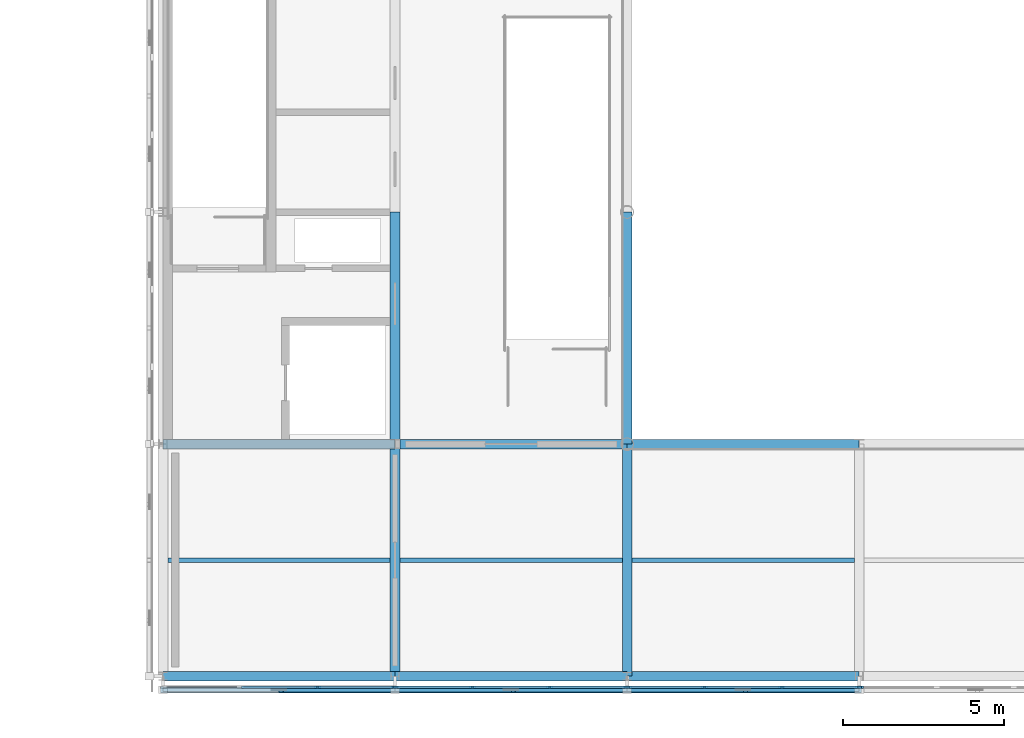
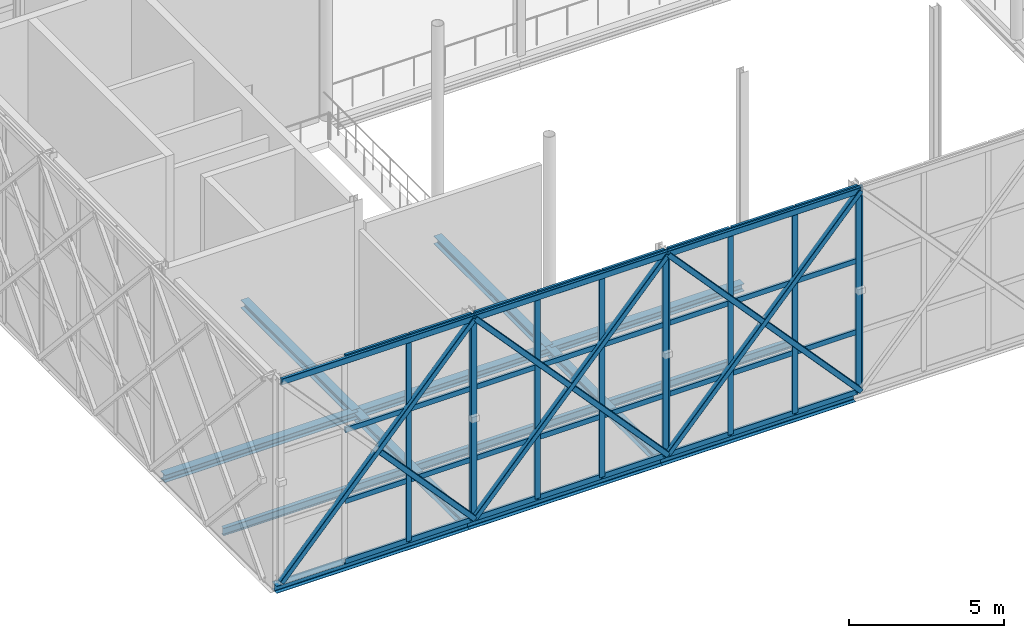
# One storey, part 14 of 76: 54 members, 13 beams, 4 elements without a shape of their own.
"""IFC4 building model written with IfcOpenShell, lengths in metres."""

from ifc_helpers import new_model, si_unit, direction, frame, origin, origin_2d, place, context, subcontext, project, spatial, rectangle, hollow_rectangle, i_section, extrude, material, material_profile, profile_set, type_object, element, aggregate, save


model = new_model("IFC4")

# Units and contexts
model_context = context("Model", 3, precision=1e-05, world=origin(), true_north=direction((0.0, 1.0)))
body_context = subcontext(model_context, "Body", "Model", "MODEL_VIEW")
ifc_project = project(units=[si_unit("LENGTHUNIT", "METRE"), si_unit("AREAUNIT", "SQUARE_METRE"), si_unit("VOLUMEUNIT", "CUBIC_METRE"), si_unit("PLANEANGLEUNIT", "RADIAN"), si_unit("MASSUNIT", "GRAM", prefix="KILO")], contexts=[model_context])

# Site, building, storey
site_placement = place(None, origin())
site = spatial("IfcSite", under=ifc_project, at=site_placement, CompositionType="ELEMENT")
building_placement = place(site_placement, origin())
building = spatial("IfcBuilding", under=site, at=building_placement, Name="Zlatovets Crest Museum", CompositionType="ELEMENT")
storey_placement = place(building_placement, frame((0.0, 0.0, 17.10009765625)))
storey = spatial("IfcBuildingStorey", under=building, at=storey_placement, Name="L04", CompositionType="ELEMENT", Elevation=17.10009765625)

# Beams
ifc_material_1 = material(Name="Structural steel S355J2", Category="steel")
ifc_material_profile_1 = material_profile(ifc_material_1, i_section(OverallWidth=0.300048828125, OverallDepth=0.31005859375, WebThickness=0.009033203125, FlangeThickness=0.015380859375, FilletRadius=0.027099609375, at=origin_2d()), Name="HEA 320")
ifc_profile_set_1 = profile_set([ifc_material_profile_1], Name="Structural steel S355J2")
beam_type_1 = type_object("IfcBeamType", Name="Beam_B-04", PredefinedType="BEAM", material=ifc_profile_set_1)
for number, where, z_axis, x_axis, name in (
    (1, (64.800048828125, 0.0, -0.39501953125), (0.0, 1.0, 0.0), (-1.0, 0.0, 0.0), "V2 L04 Grid Beam B-04"),
    (2, (64.800048828125, 7.199951171875, -0.39501953125), (0.0, 1.0, 0.0), (-1.0, 0.0, 0.0), "V2 L04 Grid Beam B-04"),
    (3, (72.0, 0.0, -0.39501953125), (0.0, 1.0, 0.0), (-1.0, 0.0, 0.0), "V2 L04 Grid Beam B-04"),
    (4, (72.0, 7.199951171875, -0.39501953125), (0.0, 1.0, 0.0), (-1.0, 0.0, 0.0), "V2 L04 Grid Beam B-04"),
):
    element("IfcBeam", number, at=place(storey_placement, frame(where, z_axis=z_axis, x_axis=x_axis)), inside=storey, type_object=beam_type_1, Name=name, PredefinedType="BEAM", context=body_context, shape_type="SweptSolid", body=[
        extrude(i_section(OverallWidth=0.300048828125, OverallDepth=0.31005859375, WebThickness=0.009033203125, FlangeThickness=0.015380859375, FilletRadius=0.027099609375, at=origin_2d()), origin(), (0.0, 0.0, 1.0), 7.199951171875),
    ])
ifc_material_profile_2 = material_profile(ifc_material_1, i_section(OverallWidth=0.300048828125, OverallDepth=0.2900390625, WebThickness=0.008544921875, FlangeThickness=0.013916015625, FilletRadius=0.027099609375, at=origin_2d()), Name="HEA 300")
ifc_profile_set_2 = profile_set([ifc_material_profile_2], Name="Structural steel S355J2")
beam_type_2 = type_object("IfcBeamType", Name="Beam_B-12", PredefinedType="BEAM", material=ifc_profile_set_2)
for number, where, z_axis, x_axis, name in (
    (5, (57.60009765625, 0.0, -0.385009765625), (1.0, 0.0, 0.0), (0.0, 1.0, 0.0), "V2 L04 Primary Girder B-12"),
    (6, (64.800048828125, 0.0, -0.385009765625), (1.0, 0.0, 0.0), (0.0, 1.0, 0.0), "V2 L04 Primary Girder B-12"),
    (7, (72.0, 0.0, -0.385009765625), (1.0, 0.0, 0.0), (0.0, 1.0, 0.0), "V2 L04 Primary Girder B-12"),
    (8, (57.60009765625, 7.199951171875, -0.385009765625), (1.0, 0.0, 0.0), (0.0, 1.0, 0.0), "V2 L04 Primary Girder B-12"),
    (9, (64.800048828125, 7.199951171875, -0.385009765625), (1.0, 0.0, 0.0), (0.0, 1.0, 0.0), "V2 L04 Primary Girder B-12"),
    (10, (72.0, 7.199951171875, -0.385009765625), (1.0, 0.0, 0.0), (0.0, 1.0, 0.0), "V2 L04 Primary Girder B-12"),
):
    element("IfcBeam", number, at=place(storey_placement, frame(where, z_axis=z_axis, x_axis=x_axis)), inside=storey, type_object=beam_type_2, Name=name, PredefinedType="BEAM", context=body_context, shape_type="SweptSolid", body=[
        extrude(i_section(OverallWidth=0.300048828125, OverallDepth=0.2900390625, WebThickness=0.008544921875, FlangeThickness=0.013916015625, FilletRadius=0.027099609375, at=origin_2d()), origin(), (0.0, 0.0, 1.0), 7.199951171875),
    ])
ifc_material_profile_3 = material_profile(ifc_material_1, i_section(OverallWidth=0.14990234375, OverallDepth=0.300048828125, WebThickness=0.007080078125, FlangeThickness=0.0107421875, FilletRadius=0.014892578125, at=origin_2d()), Name="IPE 300")
ifc_profile_set_3 = profile_set([ifc_material_profile_3], Name="Structural steel S355J2")
beam_type_3 = type_object("IfcBeamType", Name="Beam_J-02", PredefinedType="JOIST", material=ifc_profile_set_3)
beam_placement = place(storey_placement, frame((57.75, 3.60009765625, -0.39013671875), z_axis=(1.0, 0.0, 0.0), x_axis=(0.0, 1.0, 0.0)))
element("IfcBeam", 11, at=beam_placement, inside=storey, type_object=beam_type_3, Name="V2 L04 Composite Joist J-02", PredefinedType="JOIST", context=body_context, shape_type="SweptSolid", body=[
    extrude(i_section(OverallWidth=0.14990234375, OverallDepth=0.300048828125, WebThickness=0.007080078125, FlangeThickness=0.0107421875, FilletRadius=0.014892578125, at=origin_2d()), origin(), (0.0, 0.0, 1.0), 6.89990234375),
])
for number, where, z_axis, x_axis, name in (
    (12, (64.949951171875, 3.60009765625, -0.39013671875), (1.0, 0.0, 0.0), (0.0, 1.0, 0.0), "V2 L04 Composite Joist J-02"),
    (13, (72.14990234375, 3.60009765625, -0.39013671875), (1.0, 0.0, 0.0), (0.0, 1.0, 0.0), "V2 L04 Composite Joist J-02"),
):
    element("IfcBeam", number, at=place(storey_placement, frame(where, z_axis=z_axis, x_axis=x_axis)), inside=storey, type_object=beam_type_3, Name=name, PredefinedType="JOIST", context=body_context, shape_type="SweptSolid", body=[
        extrude(i_section(OverallWidth=0.14990234375, OverallDepth=0.300048828125, WebThickness=0.007080078125, FlangeThickness=0.0107421875, FilletRadius=0.014892578125, at=origin_2d()), origin(), (0.0, 0.0, 1.0), 6.900146484375),
    ])

# Curtain wall, members
ifc_material_2 = material(Name="Bronze-anodised aluminium and low-E triple glass", Category="aluminium")
curtain_wall_type_1 = type_object("IfcCurtainWallType", Name="CW_CW-V2-L04-M0", PredefinedType="NOTDEFINED", material=ifc_material_2)
curtain_wall_1_placement = place(storey_placement, origin())
curtain_wall_1 = element("IfcCurtainWall", 14, at=curtain_wall_1_placement, inside=storey, type_object=curtain_wall_type_1, Name="V2 L04 Secession Foyer Clear Curtain Wall", PredefinedType="NOTDEFINED")
ifc_material_3 = material(Name="Bronze-anodised aluminium EN AW-6060", Category="aluminium")
ifc_material_profile_4 = material_profile(ifc_material_3, rectangle(XDim=0.090087890625, YDim=0.199951171875, at=origin_2d()), Name="ALU 90x200")
ifc_profile_set_4 = profile_set([ifc_material_profile_4], Name="Bronze-anodised aluminium EN AW-6060")
member_type_1 = type_object("IfcMemberType", Name="CWMull_M2", PredefinedType="MULLION", material=ifc_profile_set_4)
member_1_placement = place(storey_placement, frame((62.39990234375, -0.340087890625, 0.0), z_axis=(0.0, 0.0, 1.0), x_axis=(0.0, 1.0, 0.0)))
member_1 = element("IfcMember", 15, at=member_1_placement, type_object=member_type_1, Name="CW-V2-L04-M0 mullion 3", PredefinedType="MULLION", context=body_context, shape_type="SweptSolid", body=[
    extrude(rectangle(XDim=0.090087890625, YDim=0.199951171875, at=origin_2d()), origin(), (0.0, 0.0, 1.0), 8.099853515625),
])
member_2_placement = place(storey_placement, frame((64.77001953125, -0.340087890625, 0.0), z_axis=(0.0, 0.0, 1.0), x_axis=(0.0, 1.0, 0.0)))
member_2 = element("IfcMember", 16, at=member_2_placement, type_object=member_type_1, Name="CW-V2-L04-M0 mullion 4", PredefinedType="MULLION", context=body_context, shape_type="SweptSolid", body=[
    extrude(rectangle(XDim=0.090087890625, YDim=0.199951171875, at=origin_2d()), origin(), (0.0, 0.0, 1.0), 8.099853515625),
])

curtain_wall_type_2 = type_object("IfcCurtainWallType", Name="CW_CW-V2-L04-M1", PredefinedType="NOTDEFINED", material=ifc_material_2)
curtain_wall_2_placement = place(storey_placement, origin())
curtain_wall_2 = element("IfcCurtainWall", 17, at=curtain_wall_2_placement, inside=storey, type_object=curtain_wall_type_2, Name="V2 L04 Secession Foyer Clear Curtain Wall", PredefinedType="NOTDEFINED")
member_3_placement = place(storey_placement, frame((64.830078125, -0.340087890625, 0.0), z_axis=(0.0, 0.0, 1.0), x_axis=(0.0, 1.0, 0.0)))
member_3 = element("IfcMember", 18, at=member_3_placement, type_object=member_type_1, Name="CW-V2-L04-M1 mullion 1", PredefinedType="MULLION", context=body_context, shape_type="SweptSolid", body=[
    extrude(rectangle(XDim=0.090087890625, YDim=0.199951171875, at=origin_2d()), origin(), (0.0, 0.0, 1.0), 8.099853515625),
])
member_4_placement = place(storey_placement, frame((67.199951171875, -0.340087890625, 0.0), z_axis=(0.0, 0.0, 1.0), x_axis=(0.0, 1.0, 0.0)))
member_4 = element("IfcMember", 19, at=member_4_placement, type_object=member_type_1, Name="CW-V2-L04-M1 mullion 2", PredefinedType="MULLION", context=body_context, shape_type="SweptSolid", body=[
    extrude(rectangle(XDim=0.090087890625, YDim=0.199951171875, at=origin_2d()), origin(), (0.0, 0.0, 1.0), 8.099853515625),
])
member_5_placement = place(storey_placement, frame((69.60009765625, -0.340087890625, 0.0), z_axis=(0.0, 0.0, 1.0), x_axis=(0.0, 1.0, 0.0)))
member_5 = element("IfcMember", 20, at=member_5_placement, type_object=member_type_1, Name="CW-V2-L04-M1 mullion 3", PredefinedType="MULLION", context=body_context, shape_type="SweptSolid", body=[
    extrude(rectangle(XDim=0.090087890625, YDim=0.199951171875, at=origin_2d()), origin(), (0.0, 0.0, 1.0), 8.099853515625),
])
member_6_placement = place(storey_placement, frame((71.969970703125, -0.340087890625, 0.0), z_axis=(0.0, 0.0, 1.0), x_axis=(0.0, 1.0, 0.0)))
member_6 = element("IfcMember", 21, at=member_6_placement, type_object=member_type_1, Name="CW-V2-L04-M1 mullion 4", PredefinedType="MULLION", context=body_context, shape_type="SweptSolid", body=[
    extrude(rectangle(XDim=0.090087890625, YDim=0.199951171875, at=origin_2d()), origin(), (0.0, 0.0, 1.0), 8.099853515625),
])

curtain_wall_type_3 = type_object("IfcCurtainWallType", Name="CW_CW-V2-L04-M2", PredefinedType="NOTDEFINED", material=ifc_material_2)
curtain_wall_3_placement = place(storey_placement, origin())
curtain_wall_3 = element("IfcCurtainWall", 22, at=curtain_wall_3_placement, inside=storey, type_object=curtain_wall_type_3, Name="V2 L04 Secession Foyer Clear Curtain Wall", PredefinedType="NOTDEFINED")
member_7_placement = place(storey_placement, frame((72.030029296875, -0.340087890625, 0.0), z_axis=(0.0, 0.0, 1.0), x_axis=(0.0, 1.0, 0.0)))
member_7 = element("IfcMember", 23, at=member_7_placement, type_object=member_type_1, Name="CW-V2-L04-M2 mullion 1", PredefinedType="MULLION", context=body_context, shape_type="SweptSolid", body=[
    extrude(rectangle(XDim=0.090087890625, YDim=0.199951171875, at=origin_2d()), origin(), (0.0, 0.0, 1.0), 8.099853515625),
])
member_8_placement = place(storey_placement, frame((74.39990234375, -0.340087890625, 0.0), z_axis=(0.0, 0.0, 1.0), x_axis=(0.0, 1.0, 0.0)))
member_8 = element("IfcMember", 24, at=member_8_placement, type_object=member_type_1, Name="CW-V2-L04-M2 mullion 2", PredefinedType="MULLION", context=body_context, shape_type="SweptSolid", body=[
    extrude(rectangle(XDim=0.090087890625, YDim=0.199951171875, at=origin_2d()), origin(), (0.0, 0.0, 1.0), 8.099853515625),
])
member_9_placement = place(storey_placement, frame((76.800048828125, -0.340087890625, 0.0), z_axis=(0.0, 0.0, 1.0), x_axis=(0.0, 1.0, 0.0)))
member_9 = element("IfcMember", 25, at=member_9_placement, type_object=member_type_1, Name="CW-V2-L04-M2 mullion 3", PredefinedType="MULLION", context=body_context, shape_type="SweptSolid", body=[
    extrude(rectangle(XDim=0.090087890625, YDim=0.199951171875, at=origin_2d()), origin(), (0.0, 0.0, 1.0), 8.099853515625),
])
member_10_placement = place(storey_placement, frame((79.169921875, -0.340087890625, 0.0), z_axis=(0.0, 0.0, 1.0), x_axis=(0.0, 1.0, 0.0)))
member_10 = element("IfcMember", 26, at=member_10_placement, type_object=member_type_1, Name="CW-V2-L04-M2 mullion 4", PredefinedType="MULLION", context=body_context, shape_type="SweptSolid", body=[
    extrude(rectangle(XDim=0.090087890625, YDim=0.199951171875, at=origin_2d()), origin(), (0.0, 0.0, 1.0), 8.099853515625),
])

# Curtain wall, member
curtain_wall_type_4 = type_object("IfcCurtainWallType", Name="CW_CW-V2-L04-M3", PredefinedType="NOTDEFINED", material=ifc_material_2)
curtain_wall_4_placement = place(storey_placement, origin())
curtain_wall_4 = element("IfcCurtainWall", 27, at=curtain_wall_4_placement, inside=storey, type_object=curtain_wall_type_4, Name="V2 L04 Secession Foyer Clear Curtain Wall", PredefinedType="NOTDEFINED")
member_11_placement = place(storey_placement, frame((79.22998046875, -0.340087890625, 0.0), z_axis=(0.0, 0.0, 1.0), x_axis=(0.0, 1.0, 0.0)))
member_11 = element("IfcMember", 28, at=member_11_placement, type_object=member_type_1, Name="CW-V2-L04-M3 mullion 1", PredefinedType="MULLION", context=body_context, shape_type="SweptSolid", body=[
    extrude(rectangle(XDim=0.090087890625, YDim=0.199951171875, at=origin_2d()), origin(), (0.0, 0.0, 1.0), 8.099853515625),
])
aggregate(curtain_wall_4, [member_11])

# Member
ifc_material_profile_5 = material_profile(ifc_material_3, rectangle(XDim=0.090087890625, YDim=0.199951171875, at=origin_2d()), Name="ALU 90x200")
ifc_profile_set_5 = profile_set([ifc_material_profile_5], Name="Bronze-anodised aluminium EN AW-6060")
member_type_2 = type_object("IfcMemberType", Name="CWTrans_T2", PredefinedType="USERDEFINED", material=ifc_profile_set_5)
member_12_placement = place(storey_placement, frame((60.030029296875, -0.340087890625, 0.02978515625), z_axis=(1.0, 0.0, 0.0), x_axis=(0.0, 1.0, 0.0)))
member_12 = element("IfcMember", 29, at=member_12_placement, type_object=member_type_2, Name="CW-V2-L04-M0 transom 2.1", ObjectType="TRANSOM", PredefinedType="USERDEFINED", context=body_context, shape_type="SweptSolid", body=[
    extrude(rectangle(XDim=0.090087890625, YDim=0.199951171875, at=origin_2d()), origin(), (0.0, 0.0, 1.0), 2.340087890625),
])

member_13_placement = place(storey_placement, frame((60.030029296875, -0.340087890625, 2.39990234375), z_axis=(1.0, 0.0, 0.0), x_axis=(0.0, 1.0, 0.0)))
member_13 = element("IfcMember", 30, at=member_13_placement, type_object=member_type_2, Name="CW-V2-L04-M0 transom 2.2", ObjectType="TRANSOM", PredefinedType="USERDEFINED", context=body_context, shape_type="SweptSolid", body=[
    extrude(rectangle(XDim=0.090087890625, YDim=0.199951171875, at=origin_2d()), origin(), (0.0, 0.0, 1.0), 2.340087890625),
])

member_14_placement = place(storey_placement, frame((60.030029296875, -0.340087890625, 5.199951171875), z_axis=(1.0, 0.0, 0.0), x_axis=(0.0, 1.0, 0.0)))
member_14 = element("IfcMember", 31, at=member_14_placement, type_object=member_type_2, Name="CW-V2-L04-M0 transom 2.3", ObjectType="TRANSOM", PredefinedType="USERDEFINED", context=body_context, shape_type="SweptSolid", body=[
    extrude(rectangle(XDim=0.090087890625, YDim=0.199951171875, at=origin_2d()), origin(), (0.0, 0.0, 1.0), 2.340087890625),
])

member_15_placement = place(storey_placement, frame((60.030029296875, -0.340087890625, 8.06982421875), z_axis=(1.0, 0.0, 0.0), x_axis=(0.0, 1.0, 0.0)))
member_15 = element("IfcMember", 32, at=member_15_placement, type_object=member_type_2, Name="CW-V2-L04-M0 transom 2.4", ObjectType="TRANSOM", PredefinedType="USERDEFINED", context=body_context, shape_type="SweptSolid", body=[
    extrude(rectangle(XDim=0.090087890625, YDim=0.199951171875, at=origin_2d()), origin(), (0.0, 0.0, 1.0), 2.340087890625),
])

member_16_placement = place(storey_placement, frame((62.429931640625, -0.340087890625, 0.02978515625), z_axis=(1.0, 0.0, 0.0), x_axis=(0.0, 1.0, 0.0)))
member_16 = element("IfcMember", 33, at=member_16_placement, type_object=member_type_2, Name="CW-V2-L04-M0 transom 3.1", ObjectType="TRANSOM", PredefinedType="USERDEFINED", context=body_context, shape_type="SweptSolid", body=[
    extrude(rectangle(XDim=0.090087890625, YDim=0.199951171875, at=origin_2d()), origin(), (0.0, 0.0, 1.0), 2.31005859375),
])

member_17_placement = place(storey_placement, frame((62.429931640625, -0.340087890625, 2.39990234375), z_axis=(1.0, 0.0, 0.0), x_axis=(0.0, 1.0, 0.0)))
member_17 = element("IfcMember", 34, at=member_17_placement, type_object=member_type_2, Name="CW-V2-L04-M0 transom 3.2", ObjectType="TRANSOM", PredefinedType="USERDEFINED", context=body_context, shape_type="SweptSolid", body=[
    extrude(rectangle(XDim=0.090087890625, YDim=0.199951171875, at=origin_2d()), origin(), (0.0, 0.0, 1.0), 2.31005859375),
])

member_18_placement = place(storey_placement, frame((62.429931640625, -0.340087890625, 5.199951171875), z_axis=(1.0, 0.0, 0.0), x_axis=(0.0, 1.0, 0.0)))
member_18 = element("IfcMember", 35, at=member_18_placement, type_object=member_type_2, Name="CW-V2-L04-M0 transom 3.3", ObjectType="TRANSOM", PredefinedType="USERDEFINED", context=body_context, shape_type="SweptSolid", body=[
    extrude(rectangle(XDim=0.090087890625, YDim=0.199951171875, at=origin_2d()), origin(), (0.0, 0.0, 1.0), 2.31005859375),
])

member_19_placement = place(storey_placement, frame((62.429931640625, -0.340087890625, 8.06982421875), z_axis=(1.0, 0.0, 0.0), x_axis=(0.0, 1.0, 0.0)))
member_19 = element("IfcMember", 36, at=member_19_placement, type_object=member_type_2, Name="CW-V2-L04-M0 transom 3.4", ObjectType="TRANSOM", PredefinedType="USERDEFINED", context=body_context, shape_type="SweptSolid", body=[
    extrude(rectangle(XDim=0.090087890625, YDim=0.199951171875, at=origin_2d()), origin(), (0.0, 0.0, 1.0), 2.31005859375),
])

aggregate(curtain_wall_1, [member_1, member_2, member_12, member_13, member_14, member_15, member_16, member_17, member_18, member_19])

member_20_placement = place(storey_placement, frame((64.860107421875, -0.340087890625, 0.02978515625), z_axis=(1.0, 0.0, 0.0), x_axis=(0.0, 1.0, 0.0)))
member_20 = element("IfcMember", 37, at=member_20_placement, type_object=member_type_2, Name="CW-V2-L04-M1 transom 1.1", ObjectType="TRANSOM", PredefinedType="USERDEFINED", context=body_context, shape_type="SweptSolid", body=[
    extrude(rectangle(XDim=0.090087890625, YDim=0.199951171875, at=origin_2d()), origin(), (0.0, 0.0, 1.0), 2.309814453125),
])

member_21_placement = place(storey_placement, frame((64.860107421875, -0.340087890625, 2.39990234375), z_axis=(1.0, 0.0, 0.0), x_axis=(0.0, 1.0, 0.0)))
member_21 = element("IfcMember", 38, at=member_21_placement, type_object=member_type_2, Name="CW-V2-L04-M1 transom 1.2", ObjectType="TRANSOM", PredefinedType="USERDEFINED", context=body_context, shape_type="SweptSolid", body=[
    extrude(rectangle(XDim=0.090087890625, YDim=0.199951171875, at=origin_2d()), origin(), (0.0, 0.0, 1.0), 2.309814453125),
])

member_22_placement = place(storey_placement, frame((64.860107421875, -0.340087890625, 5.199951171875), z_axis=(1.0, 0.0, 0.0), x_axis=(0.0, 1.0, 0.0)))
member_22 = element("IfcMember", 39, at=member_22_placement, type_object=member_type_2, Name="CW-V2-L04-M1 transom 1.3", ObjectType="TRANSOM", PredefinedType="USERDEFINED", context=body_context, shape_type="SweptSolid", body=[
    extrude(rectangle(XDim=0.090087890625, YDim=0.199951171875, at=origin_2d()), origin(), (0.0, 0.0, 1.0), 2.309814453125),
])

member_23_placement = place(storey_placement, frame((64.860107421875, -0.340087890625, 8.06982421875), z_axis=(1.0, 0.0, 0.0), x_axis=(0.0, 1.0, 0.0)))
member_23 = element("IfcMember", 40, at=member_23_placement, type_object=member_type_2, Name="CW-V2-L04-M1 transom 1.4", ObjectType="TRANSOM", PredefinedType="USERDEFINED", context=body_context, shape_type="SweptSolid", body=[
    extrude(rectangle(XDim=0.090087890625, YDim=0.199951171875, at=origin_2d()), origin(), (0.0, 0.0, 1.0), 2.309814453125),
])

member_24_placement = place(storey_placement, frame((67.22998046875, -0.340087890625, 0.02978515625), z_axis=(1.0, 0.0, 0.0), x_axis=(0.0, 1.0, 0.0)))
member_24 = element("IfcMember", 41, at=member_24_placement, type_object=member_type_2, Name="CW-V2-L04-M1 transom 2.1", ObjectType="TRANSOM", PredefinedType="USERDEFINED", context=body_context, shape_type="SweptSolid", body=[
    extrude(rectangle(XDim=0.090087890625, YDim=0.199951171875, at=origin_2d()), origin(), (0.0, 0.0, 1.0), 2.340087890625),
])

member_25_placement = place(storey_placement, frame((67.22998046875, -0.340087890625, 2.39990234375), z_axis=(1.0, 0.0, 0.0), x_axis=(0.0, 1.0, 0.0)))
member_25 = element("IfcMember", 42, at=member_25_placement, type_object=member_type_2, Name="CW-V2-L04-M1 transom 2.2", ObjectType="TRANSOM", PredefinedType="USERDEFINED", context=body_context, shape_type="SweptSolid", body=[
    extrude(rectangle(XDim=0.090087890625, YDim=0.199951171875, at=origin_2d()), origin(), (0.0, 0.0, 1.0), 2.340087890625),
])

member_26_placement = place(storey_placement, frame((67.22998046875, -0.340087890625, 5.199951171875), z_axis=(1.0, 0.0, 0.0), x_axis=(0.0, 1.0, 0.0)))
member_26 = element("IfcMember", 43, at=member_26_placement, type_object=member_type_2, Name="CW-V2-L04-M1 transom 2.3", ObjectType="TRANSOM", PredefinedType="USERDEFINED", context=body_context, shape_type="SweptSolid", body=[
    extrude(rectangle(XDim=0.090087890625, YDim=0.199951171875, at=origin_2d()), origin(), (0.0, 0.0, 1.0), 2.340087890625),
])

member_27_placement = place(storey_placement, frame((67.22998046875, -0.340087890625, 8.06982421875), z_axis=(1.0, 0.0, 0.0), x_axis=(0.0, 1.0, 0.0)))
member_27 = element("IfcMember", 44, at=member_27_placement, type_object=member_type_2, Name="CW-V2-L04-M1 transom 2.4", ObjectType="TRANSOM", PredefinedType="USERDEFINED", context=body_context, shape_type="SweptSolid", body=[
    extrude(rectangle(XDim=0.090087890625, YDim=0.199951171875, at=origin_2d()), origin(), (0.0, 0.0, 1.0), 2.340087890625),
])

member_28_placement = place(storey_placement, frame((69.6298828125, -0.340087890625, 0.02978515625), z_axis=(1.0, 0.0, 0.0), x_axis=(0.0, 1.0, 0.0)))
member_28 = element("IfcMember", 45, at=member_28_placement, type_object=member_type_2, Name="CW-V2-L04-M1 transom 3.1", ObjectType="TRANSOM", PredefinedType="USERDEFINED", context=body_context, shape_type="SweptSolid", body=[
    extrude(rectangle(XDim=0.090087890625, YDim=0.199951171875, at=origin_2d()), origin(), (0.0, 0.0, 1.0), 2.31005859375),
])

member_29_placement = place(storey_placement, frame((69.6298828125, -0.340087890625, 2.39990234375), z_axis=(1.0, 0.0, 0.0), x_axis=(0.0, 1.0, 0.0)))
member_29 = element("IfcMember", 46, at=member_29_placement, type_object=member_type_2, Name="CW-V2-L04-M1 transom 3.2", ObjectType="TRANSOM", PredefinedType="USERDEFINED", context=body_context, shape_type="SweptSolid", body=[
    extrude(rectangle(XDim=0.090087890625, YDim=0.199951171875, at=origin_2d()), origin(), (0.0, 0.0, 1.0), 2.31005859375),
])

member_30_placement = place(storey_placement, frame((69.6298828125, -0.340087890625, 5.199951171875), z_axis=(1.0, 0.0, 0.0), x_axis=(0.0, 1.0, 0.0)))
member_30 = element("IfcMember", 47, at=member_30_placement, type_object=member_type_2, Name="CW-V2-L04-M1 transom 3.3", ObjectType="TRANSOM", PredefinedType="USERDEFINED", context=body_context, shape_type="SweptSolid", body=[
    extrude(rectangle(XDim=0.090087890625, YDim=0.199951171875, at=origin_2d()), origin(), (0.0, 0.0, 1.0), 2.31005859375),
])

member_31_placement = place(storey_placement, frame((69.6298828125, -0.340087890625, 8.06982421875), z_axis=(1.0, 0.0, 0.0), x_axis=(0.0, 1.0, 0.0)))
member_31 = element("IfcMember", 48, at=member_31_placement, type_object=member_type_2, Name="CW-V2-L04-M1 transom 3.4", ObjectType="TRANSOM", PredefinedType="USERDEFINED", context=body_context, shape_type="SweptSolid", body=[
    extrude(rectangle(XDim=0.090087890625, YDim=0.199951171875, at=origin_2d()), origin(), (0.0, 0.0, 1.0), 2.31005859375),
])

aggregate(curtain_wall_2, [member_3, member_4, member_5, member_6, member_20, member_21, member_22, member_23, member_24, member_25, member_26, member_27, member_28, member_29, member_30, member_31])

member_32_placement = place(storey_placement, frame((72.06005859375, -0.340087890625, 0.02978515625), z_axis=(1.0, 0.0, 0.0), x_axis=(0.0, 1.0, 0.0)))
member_32 = element("IfcMember", 49, at=member_32_placement, type_object=member_type_2, Name="CW-V2-L04-M2 transom 1.1", ObjectType="TRANSOM", PredefinedType="USERDEFINED", context=body_context, shape_type="SweptSolid", body=[
    extrude(rectangle(XDim=0.090087890625, YDim=0.199951171875, at=origin_2d()), origin(), (0.0, 0.0, 1.0), 2.31005859375),
])

member_33_placement = place(storey_placement, frame((72.06005859375, -0.340087890625, 2.39990234375), z_axis=(1.0, 0.0, 0.0), x_axis=(0.0, 1.0, 0.0)))
member_33 = element("IfcMember", 50, at=member_33_placement, type_object=member_type_2, Name="CW-V2-L04-M2 transom 1.2", ObjectType="TRANSOM", PredefinedType="USERDEFINED", context=body_context, shape_type="SweptSolid", body=[
    extrude(rectangle(XDim=0.090087890625, YDim=0.199951171875, at=origin_2d()), origin(), (0.0, 0.0, 1.0), 2.31005859375),
])

member_34_placement = place(storey_placement, frame((72.06005859375, -0.340087890625, 5.199951171875), z_axis=(1.0, 0.0, 0.0), x_axis=(0.0, 1.0, 0.0)))
member_34 = element("IfcMember", 51, at=member_34_placement, type_object=member_type_2, Name="CW-V2-L04-M2 transom 1.3", ObjectType="TRANSOM", PredefinedType="USERDEFINED", context=body_context, shape_type="SweptSolid", body=[
    extrude(rectangle(XDim=0.090087890625, YDim=0.199951171875, at=origin_2d()), origin(), (0.0, 0.0, 1.0), 2.31005859375),
])

member_35_placement = place(storey_placement, frame((72.06005859375, -0.340087890625, 8.06982421875), z_axis=(1.0, 0.0, 0.0), x_axis=(0.0, 1.0, 0.0)))
member_35 = element("IfcMember", 52, at=member_35_placement, type_object=member_type_2, Name="CW-V2-L04-M2 transom 1.4", ObjectType="TRANSOM", PredefinedType="USERDEFINED", context=body_context, shape_type="SweptSolid", body=[
    extrude(rectangle(XDim=0.090087890625, YDim=0.199951171875, at=origin_2d()), origin(), (0.0, 0.0, 1.0), 2.31005859375),
])

member_36_placement = place(storey_placement, frame((74.429931640625, -0.340087890625, 0.02978515625), z_axis=(1.0, 0.0, 0.0), x_axis=(0.0, 1.0, 0.0)))
member_36 = element("IfcMember", 53, at=member_36_placement, type_object=member_type_2, Name="CW-V2-L04-M2 transom 2.1", ObjectType="TRANSOM", PredefinedType="USERDEFINED", context=body_context, shape_type="SweptSolid", body=[
    extrude(rectangle(XDim=0.090087890625, YDim=0.199951171875, at=origin_2d()), origin(), (0.0, 0.0, 1.0), 2.340087890625),
])

member_37_placement = place(storey_placement, frame((74.429931640625, -0.340087890625, 2.39990234375), z_axis=(1.0, 0.0, 0.0), x_axis=(0.0, 1.0, 0.0)))
member_37 = element("IfcMember", 54, at=member_37_placement, type_object=member_type_2, Name="CW-V2-L04-M2 transom 2.2", ObjectType="TRANSOM", PredefinedType="USERDEFINED", context=body_context, shape_type="SweptSolid", body=[
    extrude(rectangle(XDim=0.090087890625, YDim=0.199951171875, at=origin_2d()), origin(), (0.0, 0.0, 1.0), 2.340087890625),
])

member_38_placement = place(storey_placement, frame((74.429931640625, -0.340087890625, 5.199951171875), z_axis=(1.0, 0.0, 0.0), x_axis=(0.0, 1.0, 0.0)))
member_38 = element("IfcMember", 55, at=member_38_placement, type_object=member_type_2, Name="CW-V2-L04-M2 transom 2.3", ObjectType="TRANSOM", PredefinedType="USERDEFINED", context=body_context, shape_type="SweptSolid", body=[
    extrude(rectangle(XDim=0.090087890625, YDim=0.199951171875, at=origin_2d()), origin(), (0.0, 0.0, 1.0), 2.340087890625),
])

member_39_placement = place(storey_placement, frame((74.429931640625, -0.340087890625, 8.06982421875), z_axis=(1.0, 0.0, 0.0), x_axis=(0.0, 1.0, 0.0)))
member_39 = element("IfcMember", 56, at=member_39_placement, type_object=member_type_2, Name="CW-V2-L04-M2 transom 2.4", ObjectType="TRANSOM", PredefinedType="USERDEFINED", context=body_context, shape_type="SweptSolid", body=[
    extrude(rectangle(XDim=0.090087890625, YDim=0.199951171875, at=origin_2d()), origin(), (0.0, 0.0, 1.0), 2.340087890625),
])

member_40_placement = place(storey_placement, frame((76.830078125, -0.340087890625, 0.02978515625), z_axis=(1.0, 0.0, 0.0), x_axis=(0.0, 1.0, 0.0)))
member_40 = element("IfcMember", 57, at=member_40_placement, type_object=member_type_2, Name="CW-V2-L04-M2 transom 3.1", ObjectType="TRANSOM", PredefinedType="USERDEFINED", context=body_context, shape_type="SweptSolid", body=[
    extrude(rectangle(XDim=0.090087890625, YDim=0.199951171875, at=origin_2d()), origin(), (0.0, 0.0, 1.0), 2.309814453125),
])

member_41_placement = place(storey_placement, frame((76.830078125, -0.340087890625, 2.39990234375), z_axis=(1.0, 0.0, 0.0), x_axis=(0.0, 1.0, 0.0)))
member_41 = element("IfcMember", 58, at=member_41_placement, type_object=member_type_2, Name="CW-V2-L04-M2 transom 3.2", ObjectType="TRANSOM", PredefinedType="USERDEFINED", context=body_context, shape_type="SweptSolid", body=[
    extrude(rectangle(XDim=0.090087890625, YDim=0.199951171875, at=origin_2d()), origin(), (0.0, 0.0, 1.0), 2.309814453125),
])

member_42_placement = place(storey_placement, frame((76.830078125, -0.340087890625, 5.199951171875), z_axis=(1.0, 0.0, 0.0), x_axis=(0.0, 1.0, 0.0)))
member_42 = element("IfcMember", 59, at=member_42_placement, type_object=member_type_2, Name="CW-V2-L04-M2 transom 3.3", ObjectType="TRANSOM", PredefinedType="USERDEFINED", context=body_context, shape_type="SweptSolid", body=[
    extrude(rectangle(XDim=0.090087890625, YDim=0.199951171875, at=origin_2d()), origin(), (0.0, 0.0, 1.0), 2.309814453125),
])

member_43_placement = place(storey_placement, frame((76.830078125, -0.340087890625, 8.06982421875), z_axis=(1.0, 0.0, 0.0), x_axis=(0.0, 1.0, 0.0)))
member_43 = element("IfcMember", 60, at=member_43_placement, type_object=member_type_2, Name="CW-V2-L04-M2 transom 3.4", ObjectType="TRANSOM", PredefinedType="USERDEFINED", context=body_context, shape_type="SweptSolid", body=[
    extrude(rectangle(XDim=0.090087890625, YDim=0.199951171875, at=origin_2d()), origin(), (0.0, 0.0, 1.0), 2.309814453125),
])

aggregate(curtain_wall_3, [member_7, member_8, member_9, member_10, member_32, member_33, member_34, member_35, member_36, member_37, member_38, member_39, member_40, member_41, member_42, member_43])

# Members
ifc_material_4 = material(Name="Weathering bronze-steel S355J2W", Category="steel")
ifc_material_profile_6 = material_profile(ifc_material_4, hollow_rectangle(XDim=0.199951171875, YDim=0.199951171875, WallThickness=0.012451171875, InnerFilletRadius=0.012451171875, OuterFilletRadius=0.02490234375, at=origin_2d()), Name="SHS 200x200x12.5")
ifc_profile_set_6 = profile_set([ifc_material_profile_6], Name="Weathering bronze-steel S355J2W")
member_type_3 = type_object("IfcMemberType", Name="Lattice_XL-02", PredefinedType="BRACE", material=ifc_profile_set_6)
member_44_placement = place(storey_placement, frame((57.60009765625, -0.419921875, 0.099853515625), z_axis=(0.673594270156, 0.0, 0.739101318639), x_axis=(0.0, 1.0, 0.0)))
element("IfcMember", 61, at=member_44_placement, inside=storey, type_object=member_type_3, Name="Continuous Bronze Lattice Diagonal", PredefinedType="BRACE", context=body_context, shape_type="SweptSolid", body=[
    extrude(hollow_rectangle(XDim=0.199951171875, YDim=0.199951171875, WallThickness=0.012451171875, InnerFilletRadius=0.012451171875, OuterFilletRadius=0.02490234375, at=origin_2d()), origin(), (0.0, 0.0, 1.0), 10.68896484375),
])
member_45_placement = place(storey_placement, frame((61.263916015625, -0.419921875, 3.979736328125), z_axis=(0.673607447357, 0.0, -0.739089309127), x_axis=(0.0, 1.0, 0.0)))
element("IfcMember", 62, at=member_45_placement, inside=storey, type_object=member_type_3, Name="Split Crossing Bronze Lattice Diagonal Lower", PredefinedType="BRACE", context=body_context, shape_type="SweptSolid", body=[
    extrude(hollow_rectangle(XDim=0.199951171875, YDim=0.199951171875, WallThickness=0.012451171875, InnerFilletRadius=0.012451171875, OuterFilletRadius=0.02490234375, at=origin_2d()), origin(), (0.0, 0.0, 1.0), 5.24951171875),
])
member_46_placement = place(storey_placement, frame((64.800048828125, -0.419921875, 0.099853515625), z_axis=(0.673594270156, 0.0, 0.739101318639), x_axis=(0.0, 1.0, 0.0)))
element("IfcMember", 63, at=member_46_placement, inside=storey, type_object=member_type_3, Name="Continuous Bronze Lattice Diagonal", PredefinedType="BRACE", context=body_context, shape_type="SweptSolid", body=[
    extrude(hollow_rectangle(XDim=0.199951171875, YDim=0.199951171875, WallThickness=0.012451171875, InnerFilletRadius=0.012451171875, OuterFilletRadius=0.02490234375, at=origin_2d()), origin(), (0.0, 0.0, 1.0), 10.68896484375),
])
for number, where, z_axis, x_axis, name in (
    (64, (64.800048828125, -0.419921875, 8.0), (0.673582041572, 0.0, -0.73911246321), (0.0, 1.0, 0.0), "Split Crossing Bronze Lattice Diagonal Upper"),
    (65, (68.464111328125, -0.419921875, 3.979736328125), (0.673582041572, 0.0, -0.73911246321), (0.0, 1.0, 0.0), "Split Crossing Bronze Lattice Diagonal Lower"),
):
    element("IfcMember", number, at=place(storey_placement, frame(where, z_axis=z_axis, x_axis=x_axis)), inside=storey, type_object=member_type_3, Name=name, PredefinedType="BRACE", context=body_context, shape_type="SweptSolid", body=[
        extrude(hollow_rectangle(XDim=0.199951171875, YDim=0.199951171875, WallThickness=0.012451171875, InnerFilletRadius=0.012451171875, OuterFilletRadius=0.02490234375, at=origin_2d()), origin(), (0.0, 0.0, 1.0), 5.249267578125),
    ])
member_47_placement = place(storey_placement, frame((72.0, -0.419921875, 0.099853515625), z_axis=(0.673594270156, 0.0, 0.739101318639), x_axis=(0.0, 1.0, 0.0)))
element("IfcMember", 66, at=member_47_placement, inside=storey, type_object=member_type_3, Name="Continuous Bronze Lattice Diagonal", PredefinedType="BRACE", context=body_context, shape_type="SweptSolid", body=[
    extrude(hollow_rectangle(XDim=0.199951171875, YDim=0.199951171875, WallThickness=0.012451171875, InnerFilletRadius=0.012451171875, OuterFilletRadius=0.02490234375, at=origin_2d()), origin(), (0.0, 0.0, 1.0), 10.68896484375),
])
for number, where, z_axis, x_axis, name in (
    (67, (72.0, -0.419921875, 8.0), (0.673582041572, 0.0, -0.73911246321), (0.0, 1.0, 0.0), "Split Crossing Bronze Lattice Diagonal Upper"),
    (68, (75.6640625, -0.419921875, 3.979736328125), (0.673582041572, 0.0, -0.73911246321), (0.0, 1.0, 0.0), "Split Crossing Bronze Lattice Diagonal Lower"),
):
    element("IfcMember", number, at=place(storey_placement, frame(where, z_axis=z_axis, x_axis=x_axis)), inside=storey, type_object=member_type_3, Name=name, PredefinedType="BRACE", context=body_context, shape_type="SweptSolid", body=[
        extrude(hollow_rectangle(XDim=0.199951171875, YDim=0.199951171875, WallThickness=0.012451171875, InnerFilletRadius=0.012451171875, OuterFilletRadius=0.02490234375, at=origin_2d()), origin(), (0.0, 0.0, 1.0), 5.249267578125),
    ])
ifc_material_profile_7 = material_profile(ifc_material_4, hollow_rectangle(XDim=0.1201171875, YDim=0.239990234375, WallThickness=0.010009765625, InnerFilletRadius=0.010009765625, OuterFilletRadius=0.02001953125, at=origin_2d()), Name="RHS 120x240x10.0")
ifc_profile_set_7 = profile_set([ifc_material_profile_7], Name="Weathering bronze-steel S355J2W")
member_type_4 = type_object("IfcMemberType", Name="Lattice_XL-04", PredefinedType="CHORD", material=ifc_profile_set_7)
for number, where, z_axis, x_axis, name in (
    (69, (57.60009765625, -0.419921875, 8.0), (1.0, 0.0, 0.0), (0.0, 1.0, 0.0), "Art Nouveau Woven Cage Collector Ring Chord"),
    (70, (64.800048828125, -0.419921875, 8.0), (1.0, 0.0, 0.0), (0.0, 1.0, 0.0), "Art Nouveau Woven Cage Collector Ring Chord"),
    (71, (72.0, -0.419921875, 8.0), (1.0, 0.0, 0.0), (0.0, 1.0, 0.0), "Art Nouveau Woven Cage Collector Ring Chord"),
):
    element("IfcMember", number, at=place(storey_placement, frame(where, z_axis=z_axis, x_axis=x_axis)), inside=storey, type_object=member_type_4, Name=name, PredefinedType="CHORD", context=body_context, shape_type="SweptSolid", body=[
        extrude(hollow_rectangle(XDim=0.1201171875, YDim=0.239990234375, WallThickness=0.010009765625, InnerFilletRadius=0.010009765625, OuterFilletRadius=0.02001953125, at=origin_2d()), origin(), (0.0, 0.0, 1.0), 7.199951171875),
    ])

save(model, "model.ifc")
